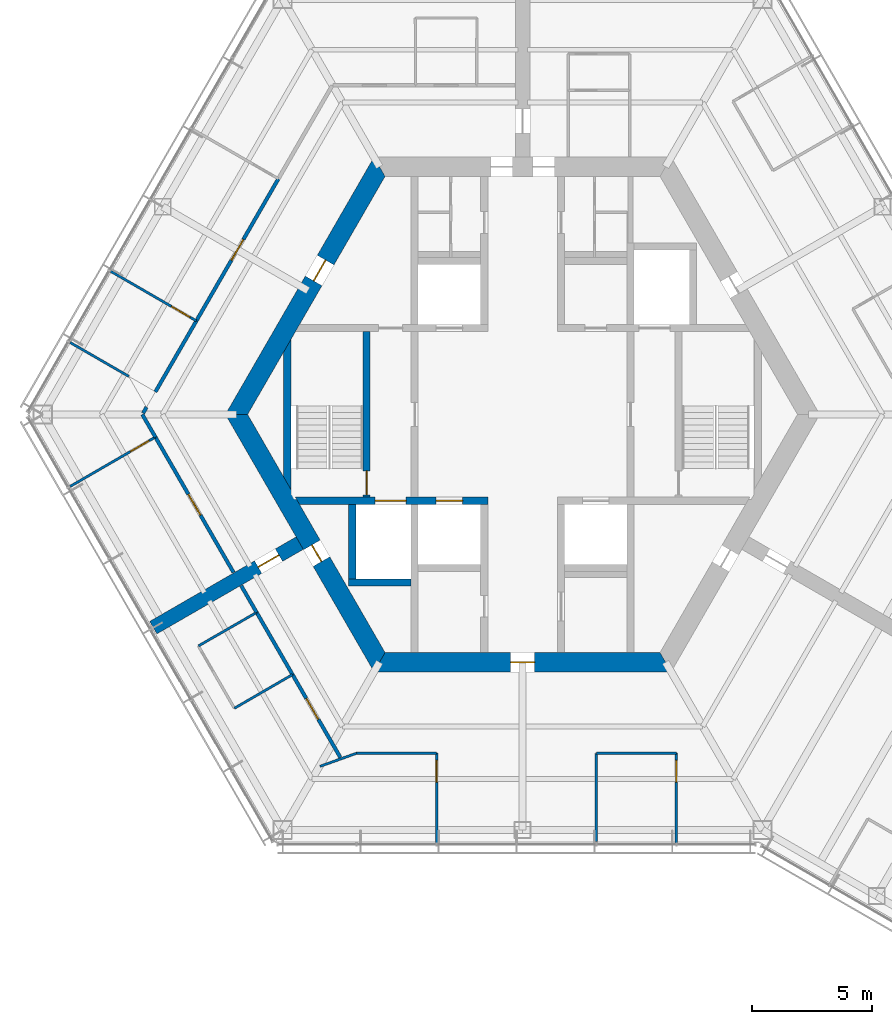
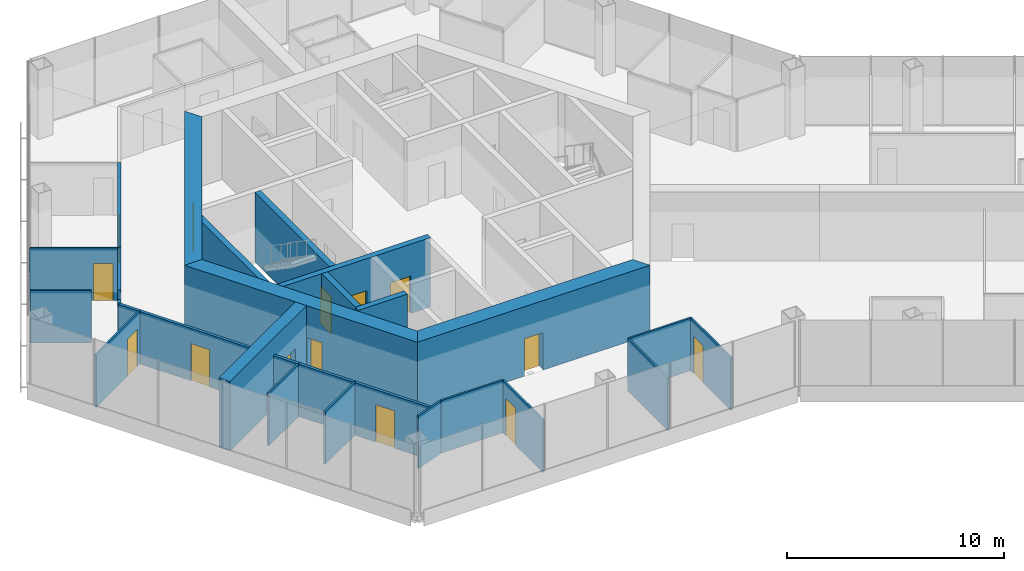
# One storey, part 10 of 16: 28 walls, 14 doors, 14 openings.
"""IFC4 building model written with IfcOpenShell, lengths in metres."""

from ifc_helpers import new_model, si_unit, direction, frame, frame_2d, origin, place, context, subcontext, project, spatial, polyline, rectangle, outline, extrude, material, layer, layer_set, type_object, element, fill, save


model = new_model("IFC4")

# Units and contexts
model_context = context("Model", 3, precision=1e-05, world=origin(), true_north=direction((0.0, 1.0)))
body_context = subcontext(model_context, "Body", "Model", "MODEL_VIEW")
ifc_project = project(units=[si_unit("LENGTHUNIT", "METRE"), si_unit("AREAUNIT", "SQUARE_METRE"), si_unit("VOLUMEUNIT", "CUBIC_METRE"), si_unit("PLANEANGLEUNIT", "RADIAN"), si_unit("MASSUNIT", "GRAM", prefix="KILO")], contexts=[model_context])

# Site, building, storey
site_placement = place(None, origin())
site = spatial("IfcSite", under=ifc_project, at=site_placement, CompositionType="ELEMENT")
building_placement = place(site_placement, origin())
building = spatial("IfcBuilding", under=site, at=building_placement, Name="Kasaneha Research Tower", CompositionType="ELEMENT")
storey_placement = place(building_placement, frame((0.0, 0.0, 247.89990234375)))
storey = spatial("IfcBuildingStorey", under=building, at=storey_placement, Name="L62", CompositionType="ELEMENT", Elevation=247.89990234375)

# Wall, openings, doors
ifc_material_1 = material(Name="Concrete Fc60", Category="concrete")
ifc_layer_1 = layer(ifc_material_1, 0.300048828125)
ifc_layer_set_1 = layer_set([ifc_layer_1], Name="Core internal wall 300 Fc60")
wall_type_1 = type_object("IfcWallType", Name="Core internal wall 300 Fc60", PredefinedType="SHEAR", material=ifc_layer_set_1)
wall_1_placement = place(storey_placement, frame((-9.3818359375, -3.60009765625, 0.0), z_axis=(0.0, 0.0, 1.0), x_axis=(1.0, 0.0, 0.0)))
wall_1 = element("IfcWall", 1, at=wall_1_placement, inside=storey, type_object=wall_type_1, Name="Core wall W2W L62", PredefinedType="SHEAR", context=body_context, shape_type="SweptSolid", body=[
    extrude(outline(polyline([(0.086669921875, -0.14990234375), (3.23193359375, -0.14990234375), (4.531982421875, -0.14990234375), (5.781982421875, -0.14990234375), (6.882080078125, -0.14990234375), (7.931884765625, -0.14990234375), (7.931884765625, 0.14990234375), (6.882080078125, 0.14990234375), (5.781982421875, 0.14990234375), (4.531982421875, 0.14990234375), (3.23193359375, 0.14990234375), (-0.086669921875, 0.14990234375), (0.086669921875, -0.14990234375)])), origin(), (0.0, 0.0, 1.0), 3.900146484375),
])
opening_1_placement = place(wall_1_placement, frame((5.781982421875, 0.0, 0.0)))
opening_1 = element("IfcOpeningElement", 2, at=opening_1_placement, cuts=wall_1, Name="Opening LD-LH1-L62", PredefinedType="OPENING", context=body_context, shape_type="SweptSolid", body=[
    extrude(rectangle(XDim=1.10009765625, YDim=2.10009765625, at=frame_2d((0.550048828125, 1.050048828125))), frame((0.0, 0.16015625, 0.0), z_axis=(0.0, -1.0, 0.0), x_axis=(1.0, 0.0, 0.0)), (0.0, 0.0, 1.0), 0.320068359375),
])
opening_2_placement = place(wall_1_placement, frame((3.23193359375, 0.0, 0.0)))
opening_2 = element("IfcOpeningElement", 3, at=opening_2_placement, cuts=wall_1, Name="Opening LD-FL2-L62", PredefinedType="OPENING", context=body_context, shape_type="SweptSolid", body=[
    extrude(rectangle(XDim=1.300048828125, YDim=2.10009765625, at=frame_2d((0.64990234375, 1.050048828125))), frame((0.0, 0.16015625, 0.0), z_axis=(0.0, -1.0, 0.0), x_axis=(1.0, 0.0, 0.0)), (0.0, 0.0, 1.0), 0.320068359375),
])
ifc_material_2 = material(Name="Steel", Category="steel")
door_type_1 = type_object("IfcDoorType", Name="Lift landing door 1100x2100", OperationType="DOUBLE_DOOR_SLIDING", PredefinedType="DOOR", material=ifc_material_2)
door_1_placement = place(opening_1_placement, origin())
door_1 = element("IfcDoor", 4, at=door_1_placement, inside=storey, type_object=door_type_1, Name="Landing door LH1 LD-LH1-L62", OperationType="DOUBLE_DOOR_SLIDING", OverallHeight=2.10009765625, OverallWidth=1.10009765625, PredefinedType="DOOR", context=body_context, shape_type="SweptSolid", body=[
    extrude(rectangle(XDim=1.10009765625, YDim=2.10009765625, at=frame_2d((0.550048828125, 1.050048828125))), frame((0.0, 0.02490234375, 0.0), z_axis=(0.0, -1.0, 0.0), x_axis=(1.0, 0.0, 0.0)), (0.0, 0.0, 1.0), 0.050048828125),
])
fill(opening_1, door_1)
ifc_material_3 = material(Name="Steel", Category="steel")
door_type_2 = type_object("IfcDoorType", Name="Lift landing door 1300x2100", OperationType="DOUBLE_DOOR_SLIDING", PredefinedType="DOOR", material=ifc_material_3)
door_2_placement = place(opening_2_placement, origin())
door_2 = element("IfcDoor", 5, at=door_2_placement, inside=storey, type_object=door_type_2, Name="Landing door FL2 LD-FL2-L62", OperationType="DOUBLE_DOOR_SLIDING", OverallHeight=2.10009765625, OverallWidth=1.300048828125, PredefinedType="DOOR", context=body_context, shape_type="SweptSolid", body=[
    extrude(rectangle(XDim=1.300048828125, YDim=2.10009765625, at=frame_2d((0.64990234375, 1.050048828125))), frame((0.0, 0.02490234375, 0.0), z_axis=(0.0, -1.0, 0.0), x_axis=(1.0, 0.0, 0.0)), (0.0, 0.0, 1.0), 0.050048828125),
])
fill(opening_2, door_2)

# Wall, opening, door
wall_2_placement = place(storey_placement, frame((-6.5, -3.449951171875, 0.0), z_axis=(0.0, 0.0, 1.0), x_axis=(0.0, 1.0, 0.0)))
wall_2 = element("IfcWall", 6, at=wall_2_placement, inside=storey, type_object=wall_type_1, Name="Core wall ANW L62", PredefinedType="SHEAR", context=body_context, shape_type="SweptSolid", body=[
    extrude(rectangle(XDim=6.89990234375, YDim=0.300048828125, at=frame_2d((3.449951171875, 0.0))), origin(), (0.0, 0.0, 1.0), 3.900146484375),
])
opening_3_placement = place(wall_2_placement, frame((0.10009765625, 0.0, 0.0)))
opening_3 = element("IfcOpeningElement", 7, at=opening_3_placement, cuts=wall_2, Name="Opening L62-D11", PredefinedType="OPENING", context=body_context, shape_type="SweptSolid", body=[
    extrude(rectangle(XDim=1.0, YDim=2.10009765625, at=frame_2d((0.5, 1.050048828125))), frame((0.0, 0.16015625, 0.0), z_axis=(0.0, -1.0, 0.0), x_axis=(1.0, 0.0, 0.0)), (0.0, 0.0, 1.0), 0.320068359375),
])
ifc_material_4 = material(Name="Steel", Category="steel")
door_type_3 = type_object("IfcDoorType", Name="Specified fire door FD60 1000x2100", OperationType="NOTDEFINED", PredefinedType="DOOR", material=ifc_material_4)
door_3_placement = place(opening_3_placement, origin())
door_3 = element("IfcDoor", 8, at=door_3_placement, inside=storey, type_object=door_type_3, Name="Stair 2 door L62-D11", OperationType="SINGLE_SWING_LEFT", OverallHeight=2.10009765625, OverallWidth=1.0, PredefinedType="DOOR", context=body_context, shape_type="SweptSolid", body=[
    extrude(rectangle(XDim=1.0, YDim=2.10009765625, at=frame_2d((0.5, 1.050048828125))), frame((0.0, 0.02490234375, 0.0), z_axis=(0.0, -1.0, 0.0), x_axis=(1.0, 0.0, 0.0)), (0.0, 0.0, 1.0), 0.050048828125),
])
fill(opening_3, door_3)

# Walls
wall_3_placement = place(storey_placement, frame((-7.25, -7.0, 0.0), z_axis=(0.0, 0.0, 1.0), x_axis=(1.0, 0.0, 0.0)))
element("IfcWall", 9, at=wall_3_placement, inside=storey, type_object=wall_type_1, Name="Core wall F2S L62", PredefinedType="SHEAR", context=body_context, shape_type="SweptSolid", body=[
    extrude(rectangle(XDim=2.60009765625, YDim=0.300048828125, at=frame_2d((1.300048828125, 0.0))), origin(), (0.0, 0.0, 1.0), 3.900146484375),
])
wall_4_placement = place(storey_placement, frame((-7.10009765625, -3.75, 0.0), z_axis=(0.0, 0.0, 1.0), x_axis=(0.0, -1.0, 0.0)))
element("IfcWall", 10, at=wall_4_placement, inside=storey, type_object=wall_type_1, Name="Core wall F2W L62", PredefinedType="SHEAR", context=body_context, shape_type="SweptSolid", body=[
    extrude(rectangle(XDim=3.10009765625, YDim=0.300048828125, at=frame_2d((1.550048828125, 0.0))), origin(), (0.0, 0.0, 1.0), 3.900146484375),
])
wall_5_placement = place(storey_placement, frame((-9.807861328125, -2.8623046875, 0.0), z_axis=(0.0, 0.0, 1.0), x_axis=(0.0, 1.0, 0.0)))
element("IfcWall", 11, at=wall_5_placement, inside=storey, type_object=wall_type_1, Name="Core wall STW L62", PredefinedType="SHEAR", context=body_context, shape_type="SweptSolid", body=[
    extrude(outline(polyline([(-0.259765625, -0.14990234375), (5.984375, -0.14990234375), (5.46484375, 0.14990234375), (0.259765625, 0.14990234375), (-0.259765625, -0.14990234375)])), origin(), (0.0, 0.0, 1.0), 3.900146484375),
])

# Wall, opening, door
ifc_material_5 = material(Name="Concrete Fc60", Category="concrete")
ifc_layer_2 = layer(ifc_material_5, 0.800048828125)
ifc_layer_set_2 = layer_set([ifc_layer_2], Name="Core wall 800 Fc60")
wall_type_2 = type_object("IfcWallType", Name="Core wall 800 Fc60", PredefinedType="SHEAR", material=ifc_layer_set_2)
wall_6_placement = place(storey_placement, frame((-5.961181640625, 10.324951171875, 0.0), z_axis=(0.0, 0.0, 1.0), x_axis=(-0.500004296715, -0.866022923061, 0.0)))
wall_6 = element("IfcWall", 12, at=wall_6_placement, inside=storey, type_object=wall_type_2, Name="Core wall 150 L62", PredefinedType="SHEAR", context=body_context, shape_type="SweptSolid", body=[
    extrude(outline(polyline([(-0.23095703125, -0.39990234375), (4.494140625, -0.39990234375), (5.494140625, -0.39990234375), (12.1533203125, -0.39990234375), (11.69140625, 0.39990234375), (5.494140625, 0.39990234375), (4.494140625, 0.39990234375), (0.23095703125, 0.39990234375), (-0.23095703125, -0.39990234375)])), origin(), (0.0, 0.0, 1.0), 3.900146484375),
])
opening_4_placement = place(wall_6_placement, frame((4.494140625, 0.0, 0.0)))
opening_4 = element("IfcOpeningElement", 13, at=opening_4_placement, cuts=wall_6, Name="Opening L62-D07", PredefinedType="OPENING", context=body_context, shape_type="SweptSolid", body=[
    extrude(rectangle(XDim=1.0, YDim=2.10009765625, at=frame_2d((0.5, 1.050048828125))), frame((0.0, 0.41015625, 0.0), z_axis=(0.0, -1.0, 0.0), x_axis=(1.0, 0.0, 0.0)), (0.0, 0.0, 1.0), 0.820068359375),
])
ifc_material_6 = material(Name="Steel", Category="steel")
door_type_4 = type_object("IfcDoorType", Name="Fire door FD20 1000x2100", OperationType="NOTDEFINED", PredefinedType="DOOR", material=ifc_material_6)
door_4_placement = place(opening_4_placement, origin())
door_4 = element("IfcDoor", 14, at=door_4_placement, inside=storey, type_object=door_type_4, Name="Vestibule door L62-D07", OperationType="SINGLE_SWING_LEFT", OverallHeight=2.10009765625, OverallWidth=1.0, PredefinedType="DOOR", context=body_context, shape_type="SweptSolid", body=[
    extrude(rectangle(XDim=1.0, YDim=2.10009765625, at=frame_2d((0.5, 1.050048828125))), frame((0.0, 0.02490234375, 0.0), z_axis=(0.0, -1.0, 0.0), x_axis=(1.0, 0.0, 0.0)), (0.0, 0.0, 1.0), 0.050048828125),
])
fill(opening_4, door_4)

wall_7_placement = place(storey_placement, frame((-11.92236328125, 0.0, 0.0), z_axis=(0.0, 0.0, 1.0), x_axis=(0.500004296715, -0.866022923061, 0.0)))
wall_7 = element("IfcWall", 15, at=wall_7_placement, inside=storey, type_object=wall_type_2, Name="Core wall 210 L62", PredefinedType="SHEAR", context=body_context, shape_type="SweptSolid", body=[
    extrude(outline(polyline([(-0.23095703125, -0.39990234375), (6.28125, -0.39990234375), (7.081298828125, -0.39990234375), (12.1533203125, -0.39990234375), (11.69140625, 0.39990234375), (7.081298828125, 0.39990234375), (6.28125, 0.39990234375), (0.23095703125, 0.39990234375), (-0.23095703125, -0.39990234375)])), origin(), (0.0, 0.0, 1.0), 3.900146484375),
])
opening_5_placement = place(wall_7_placement, frame((6.28125, 0.0, 0.0)))
opening_5 = element("IfcOpeningElement", 16, at=opening_5_placement, cuts=wall_7, Name="Opening L62-D06", PredefinedType="OPENING", context=body_context, shape_type="SweptSolid", body=[
    extrude(rectangle(XDim=0.800048828125, YDim=2.10009765625, at=frame_2d((0.39990234375, 1.050048828125))), frame((0.0, 0.41015625, 0.0), z_axis=(0.0, -1.0, 0.0), x_axis=(1.0, 0.0, 0.0)), (0.0, 0.0, 1.0), 0.820068359375),
])
ifc_material_7 = material(Name="Steel", Category="steel")
door_type_5 = type_object("IfcDoorType", Name="Riser access door FD60 800x2100", OperationType="NOTDEFINED", PredefinedType="DOOR", material=ifc_material_7)
door_5_placement = place(opening_5_placement, origin())
door_5 = element("IfcDoor", 17, at=door_5_placement, inside=storey, type_object=door_type_5, Name="Duct riser door L62-D06", OperationType="SINGLE_SWING_RIGHT", OverallHeight=2.10009765625, OverallWidth=0.800048828125, PredefinedType="DOOR", context=body_context, shape_type="SweptSolid", body=[
    extrude(rectangle(XDim=0.800048828125, YDim=2.10009765625, at=frame_2d((0.39990234375, 1.050048828125))), frame((0.0, 0.02490234375, 0.0), z_axis=(0.0, -1.0, 0.0), x_axis=(1.0, 0.0, 0.0)), (0.0, 0.0, 1.0), 0.050048828125),
])
fill(opening_5, door_5)

wall_8_placement = place(storey_placement, frame((-5.961181640625, -10.324951171875, 0.0), z_axis=(0.0, 0.0, 1.0), x_axis=(1.0, 0.0, 0.0)))
wall_8 = element("IfcWall", 18, at=wall_8_placement, inside=storey, type_object=wall_type_2, Name="Core wall 270 L62", PredefinedType="SHEAR", context=body_context, shape_type="SweptSolid", body=[
    extrude(outline(polyline([(-0.23095703125, -0.39990234375), (5.461181640625, -0.39990234375), (6.461181640625, -0.39990234375), (12.1533203125, -0.39990234375), (11.69140625, 0.39990234375), (6.461181640625, 0.39990234375), (5.461181640625, 0.39990234375), (0.23095703125, 0.39990234375), (-0.23095703125, -0.39990234375)])), origin(), (0.0, 0.0, 1.0), 3.900146484375),
])
opening_6_placement = place(wall_8_placement, frame((5.461181640625, 0.0, 0.0)))
opening_6 = element("IfcOpeningElement", 19, at=opening_6_placement, cuts=wall_8, Name="Opening L62-D03", PredefinedType="OPENING", context=body_context, shape_type="SweptSolid", body=[
    extrude(rectangle(XDim=1.0, YDim=2.10009765625, at=frame_2d((0.5, 1.050048828125))), frame((0.0, 0.41015625, 0.0), z_axis=(0.0, -1.0, 0.0), x_axis=(1.0, 0.0, 0.0)), (0.0, 0.0, 1.0), 0.820068359375),
])
door_6_placement = place(opening_6_placement, origin())
door_6 = element("IfcDoor", 20, at=door_6_placement, inside=storey, type_object=door_type_4, Name="Core door south L62-D03", OperationType="SINGLE_SWING_LEFT", OverallHeight=2.10009765625, OverallWidth=1.0, PredefinedType="DOOR", context=body_context, shape_type="SweptSolid", body=[
    extrude(rectangle(XDim=1.0, YDim=2.10009765625, at=frame_2d((0.5, 1.050048828125))), frame((0.0, 0.02490234375, 0.0), z_axis=(0.0, -1.0, 0.0), x_axis=(1.0, 0.0, 0.0)), (0.0, 0.0, 1.0), 0.050048828125),
])
fill(opening_6, door_6)

# Wall
ifc_material_8 = material(Name="Gypsum board on steel studs, one layer each side", Category="steel")
ifc_layer_3 = layer(ifc_material_8, 0.10009765625)
ifc_layer_set_3 = layer_set([ifc_layer_3], Name="Office partition 100")
wall_type_3 = type_object("IfcWallType", Name="Office partition 100", PredefinedType="PARTITIONING", material=ifc_layer_set_3)
wall_9_placement = place(storey_placement, frame((-16.4130859375, 1.58837890625, 0.0), z_axis=(0.0, 0.0, 1.0), x_axis=(-0.866019917734, 0.500009501998, 0.0)))
element("IfcWall", 21, at=wall_9_placement, inside=storey, type_object=wall_type_3, Name="Office partition FBN08 L62", PredefinedType="PARTITIONING", context=body_context, shape_type="SweptSolid", body=[
    extrude(rectangle(XDim=2.822265625, YDim=0.10009765625, at=frame_2d((1.4111328125, 0.0))), origin(), (0.0, 0.0, 1.0), 2.9501953125),
])

# Wall, opening, door
wall_10_placement = place(storey_placement, frame((-17.1708984375, 5.969970703125, 0.0), z_axis=(0.0, 0.0, 1.0), x_axis=(0.865450565099, -0.500994330677, 0.0)))
wall_10 = element("IfcWall", 22, at=wall_10_placement, inside=storey, type_object=wall_type_3, Name="Office partition FBN09 L62", PredefinedType="PARTITIONING", context=body_context, shape_type="SweptSolid", body=[
    extrude(rectangle(XDim=4.13037109375, YDim=0.10009765625, at=frame_2d((2.065185546875, 0.0))), origin(), (0.0, 0.0, 1.0), 2.9501953125),
])
opening_7_placement = place(wall_10_placement, frame((2.930419921875, 0.0, 0.0)))
opening_7 = element("IfcOpeningElement", 23, at=opening_7_placement, cuts=wall_10, Name="Opening L62-D35", PredefinedType="OPENING", context=body_context, shape_type="SweptSolid", body=[
    extrude(rectangle(XDim=0.89990234375, YDim=2.10009765625, at=frame_2d((0.449951171875, 1.050048828125))), frame((0.0, 0.06005859375, 0.0), z_axis=(0.0, -1.0, 0.0), x_axis=(1.0, 0.0, 0.0)), (0.0, 0.0, 1.0), 0.1201171875),
])
ifc_material_9 = material(Name="Timber veneer", Category="wood")
door_type_6 = type_object("IfcDoorType", Name="Office door 900x2100", OperationType="SINGLE_SWING_LEFT", PredefinedType="DOOR", material=ifc_material_9)
door_7_placement = place(opening_7_placement, origin())
door_7 = element("IfcDoor", 24, at=door_7_placement, inside=storey, type_object=door_type_6, Name="Executive office door L62-D35", OperationType="SINGLE_SWING_RIGHT", OverallHeight=2.10009765625, OverallWidth=0.89990234375, PredefinedType="DOOR", context=body_context, shape_type="SweptSolid", body=[
    extrude(rectangle(XDim=0.89990234375, YDim=2.10009765625, at=frame_2d((0.449951171875, 1.050048828125))), frame((0.0, 0.02490234375, 0.0), z_axis=(0.0, -1.0, 0.0), x_axis=(1.0, 0.0, 0.0)), (0.0, 0.0, 1.0), 0.050048828125),
])
fill(opening_7, door_7)

wall_11_placement = place(storey_placement, frame((-15.303955078125, -0.94287109375, 0.0), z_axis=(0.0, 0.0, 1.0), x_axis=(-0.865477851574, -0.500947191264, 0.0)))
wall_11 = element("IfcWall", 25, at=wall_11_placement, inside=storey, type_object=wall_type_3, Name="Office partition FBN10 L62", PredefinedType="PARTITIONING", context=body_context, shape_type="SweptSolid", body=[
    extrude(rectangle(XDim=4.10546875, YDim=0.10009765625, at=frame_2d((2.052734375, 0.0))), origin(), (0.0, 0.0, 1.0), 2.9501953125),
])
opening_8_placement = place(wall_11_placement, frame((0.300048828125, 0.0, 0.0)))
opening_8 = element("IfcOpeningElement", 26, at=opening_8_placement, cuts=wall_11, Name="Opening L62-D36", PredefinedType="OPENING", context=body_context, shape_type="SweptSolid", body=[
    extrude(rectangle(XDim=0.89990234375, YDim=2.10009765625, at=frame_2d((0.449951171875, 1.050048828125))), frame((0.0, 0.06005859375, 0.0), z_axis=(0.0, -1.0, 0.0), x_axis=(1.0, 0.0, 0.0)), (0.0, 0.0, 1.0), 0.1201171875),
])
door_8_placement = place(opening_8_placement, origin())
door_8 = element("IfcDoor", 27, at=door_8_placement, inside=storey, type_object=door_type_6, Name="Workroom door L62-D36", OperationType="SINGLE_SWING_LEFT", OverallHeight=2.10009765625, OverallWidth=0.89990234375, PredefinedType="DOOR", context=body_context, shape_type="SweptSolid", body=[
    extrude(rectangle(XDim=0.89990234375, YDim=2.10009765625, at=frame_2d((0.449951171875, 1.050048828125))), frame((0.0, 0.02490234375, 0.0), z_axis=(0.0, -1.0, 0.0), x_axis=(1.0, 0.0, 0.0)), (0.0, 0.0, 1.0), 0.050048828125),
])
fill(opening_8, door_8)

# Walls
for number, where, z_axis, x_axis, name in (
    (28, (-13.510986328125, -9.648193359375, 0.0), (0.0, 0.0, 1.0), (0.86679607088, 0.498662783358, 0.0), "Office partition FBS04 L62"),
    (29, (-9.58837890625, -10.84228515625, 0.0), (0.0, 0.0, 1.0), (-0.865233198925, -0.501369635576, 0.0), "Office partition FBS06 L62"),
):
    element("IfcWall", number, at=place(storey_placement, frame(where, z_axis=z_axis, x_axis=x_axis)), inside=storey, type_object=wall_type_3, Name=name, PredefinedType="PARTITIONING", context=body_context, shape_type="SweptSolid", body=[
        extrude(rectangle(XDim=2.800048828125, YDim=0.10009765625, at=frame_2d((1.39990234375, 0.0))), origin(), (0.0, 0.0, 1.0), 2.9501953125),
    ])
wall_12_placement = place(storey_placement, frame((-8.444580078125, -14.666748046875, 0.0), z_axis=(0.0, 0.0, 1.0), x_axis=(0.941476299389, 0.33707918608, 0.0)))
element("IfcWall", 30, at=wall_12_placement, inside=storey, type_object=wall_type_3, Name="Office partition FCS01 L62", PredefinedType="PARTITIONING", context=body_context, shape_type="SweptSolid", body=[
    extrude(rectangle(XDim=1.623779296875, YDim=0.10009765625, at=frame_2d((0.81201171875, 0.0))), origin(), (0.0, 0.0, 1.0), 2.9501953125),
])
wall_13_placement = place(storey_placement, frame((-6.915771484375, -14.119384765625, 0.0), z_axis=(0.0, 0.0, 1.0), x_axis=(0.999999932863, -0.000366434567, 0.0)))
element("IfcWall", 31, at=wall_13_placement, inside=storey, type_object=wall_type_3, Name="Office partition FCS02 L62", PredefinedType="PARTITIONING", context=body_context, shape_type="SweptSolid", body=[
    extrude(rectangle(XDim=3.331298828125, YDim=0.10009765625, at=frame_2d((1.66552734375, 0.0))), origin(), (0.0, 0.0, 1.0), 2.9501953125),
])

# Wall, opening, door
wall_14_placement = place(storey_placement, frame((-3.58447265625, -14.12060546875, 0.0), z_axis=(0.0, 0.0, 1.0), x_axis=(0.0, -1.0, 0.0)))
wall_14 = element("IfcWall", 32, at=wall_14_placement, inside=storey, type_object=wall_type_3, Name="Office partition FCS03 L62", PredefinedType="PARTITIONING", context=body_context, shape_type="SweptSolid", body=[
    extrude(rectangle(XDim=3.73486328125, YDim=0.10009765625, at=frame_2d((1.867431640625, 0.0))), origin(), (0.0, 0.0, 1.0), 2.9501953125),
])
opening_9_placement = place(wall_14_placement, frame((0.300048828125, 0.0, 0.0)))
opening_9 = element("IfcOpeningElement", 33, at=opening_9_placement, cuts=wall_14, Name="Opening L62-D41", PredefinedType="OPENING", context=body_context, shape_type="SweptSolid", body=[
    extrude(rectangle(XDim=0.89990234375, YDim=2.10009765625, at=frame_2d((0.449951171875, 1.050048828125))), frame((0.0, 0.06005859375, 0.0), z_axis=(0.0, -1.0, 0.0), x_axis=(1.0, 0.0, 0.0)), (0.0, 0.0, 1.0), 0.1201171875),
])
door_9_placement = place(opening_9_placement, origin())
door_9 = element("IfcDoor", 34, at=door_9_placement, inside=storey, type_object=door_type_6, Name="Executive office door L62-D41", OperationType="SINGLE_SWING_LEFT", OverallHeight=2.10009765625, OverallWidth=0.89990234375, PredefinedType="DOOR", context=body_context, shape_type="SweptSolid", body=[
    extrude(rectangle(XDim=0.89990234375, YDim=2.10009765625, at=frame_2d((0.449951171875, 1.050048828125))), frame((0.0, 0.02490234375, 0.0), z_axis=(0.0, -1.0, 0.0), x_axis=(1.0, 0.0, 0.0)), (0.0, 0.0, 1.0), 0.050048828125),
])
fill(opening_9, door_9)

# Walls
wall_15_placement = place(storey_placement, frame((3.077392578125, -17.800537109375, 0.0), z_axis=(0.0, 0.0, 1.0), x_axis=(0.0, 1.0, 0.0)))
element("IfcWall", 35, at=wall_15_placement, inside=storey, type_object=wall_type_3, Name="Office partition FCS04 L62", PredefinedType="PARTITIONING", context=body_context, shape_type="SweptSolid", body=[
    extrude(rectangle(XDim=3.679931640625, YDim=0.10009765625, at=frame_2d((1.83984375, 0.0))), origin(), (0.0, 0.0, 1.0), 2.9501953125),
])
wall_16_placement = place(storey_placement, frame((3.077392578125, -14.12060546875, 0.0), z_axis=(0.0, 0.0, 1.0), x_axis=(1.0, 0.0, 0.0)))
element("IfcWall", 36, at=wall_16_placement, inside=storey, type_object=wall_type_3, Name="Office partition FCS05 L62", PredefinedType="PARTITIONING", context=body_context, shape_type="SweptSolid", body=[
    extrude(rectangle(XDim=3.330810546875, YDim=0.10009765625, at=frame_2d((1.66552734375, 0.0))), origin(), (0.0, 0.0, 1.0), 2.9501953125),
])

# Wall, opening, door
wall_17_placement = place(storey_placement, frame((6.408203125, -14.12060546875, 0.0), z_axis=(0.0, 0.0, 1.0), x_axis=(0.0, -1.0, 0.0)))
wall_17 = element("IfcWall", 37, at=wall_17_placement, inside=storey, type_object=wall_type_3, Name="Office partition FCS06 L62", PredefinedType="PARTITIONING", context=body_context, shape_type="SweptSolid", body=[
    extrude(rectangle(XDim=3.73486328125, YDim=0.10009765625, at=frame_2d((1.867431640625, 0.0))), origin(), (0.0, 0.0, 1.0), 2.9501953125),
])
opening_10_placement = place(wall_17_placement, frame((0.300048828125, 0.0, 0.0)))
opening_10 = element("IfcOpeningElement", 38, at=opening_10_placement, cuts=wall_17, Name="Opening L62-D42", PredefinedType="OPENING", context=body_context, shape_type="SweptSolid", body=[
    extrude(rectangle(XDim=0.89990234375, YDim=2.10009765625, at=frame_2d((0.449951171875, 1.050048828125))), frame((0.0, 0.06005859375, 0.0), z_axis=(0.0, -1.0, 0.0), x_axis=(1.0, 0.0, 0.0)), (0.0, 0.0, 1.0), 0.1201171875),
])
door_10_placement = place(opening_10_placement, origin())
door_10 = element("IfcDoor", 39, at=door_10_placement, inside=storey, type_object=door_type_6, Name="Executive office door L62-D42", OperationType="SINGLE_SWING_LEFT", OverallHeight=2.10009765625, OverallWidth=0.89990234375, PredefinedType="DOOR", context=body_context, shape_type="SweptSolid", body=[
    extrude(rectangle(XDim=0.89990234375, YDim=2.10009765625, at=frame_2d((0.449951171875, 1.050048828125))), frame((0.0, 0.02490234375, 0.0), z_axis=(0.0, -1.0, 0.0), x_axis=(1.0, 0.0, 0.0)), (0.0, 0.0, 1.0), 0.050048828125),
])
fill(opening_10, door_10)

ifc_material_10 = material(Name="Concrete Fc60", Category="concrete")
ifc_layer_4 = layer(ifc_material_10, 0.60009765625)
ifc_layer_set_4 = layer_set([ifc_layer_4], Name="Spine wall 600 Fc60")
wall_type_4 = type_object("IfcWallType", Name="Spine wall 600 Fc60", PredefinedType="SHEAR", material=ifc_layer_set_4)
wall_18_placement = place(storey_placement, frame((-9.2880859375, -5.362548828125, 0.0), z_axis=(0.0, 0.0, 1.0), x_axis=(-0.866027473358, -0.499996415376, 0.0)))
wall_18 = element("IfcWall", 40, at=wall_18_placement, inside=storey, type_object=wall_type_4, Name="Spine wall B L62", PredefinedType="SHEAR", context=body_context, shape_type="SweptSolid", body=[
    extrude(rectangle(XDim=7.04541015625, YDim=0.60009765625, at=frame_2d((3.522705078125, 0.0))), origin(), (0.0, 0.0, 1.0), 3.900146484375),
])
opening_11_placement = place(wall_18_placement, frame((1.0, 0.0, 0.0)))
opening_11 = element("IfcOpeningElement", 41, at=opening_11_placement, cuts=wall_18, Name="Opening L62-D19", PredefinedType="OPENING", context=body_context, shape_type="SweptSolid", body=[
    extrude(rectangle(XDim=1.0, YDim=2.10009765625, at=frame_2d((0.5, 1.050048828125))), frame((0.0, 0.31005859375, 0.0), z_axis=(0.0, -1.0, 0.0), x_axis=(1.0, 0.0, 0.0)), (0.0, 0.0, 1.0), 0.6201171875),
])
door_11_placement = place(opening_11_placement, origin())
door_11 = element("IfcDoor", 42, at=door_11_placement, inside=storey, type_object=door_type_3, Name="Spine doorway B L62-D19", OperationType="SINGLE_SWING_LEFT", OverallHeight=2.10009765625, OverallWidth=1.0, PredefinedType="DOOR", context=body_context, shape_type="SweptSolid", body=[
    extrude(rectangle(XDim=1.0, YDim=2.10009765625, at=frame_2d((0.5, 1.050048828125))), frame((0.0, 0.02490234375, 0.0), z_axis=(0.0, -1.0, 0.0), x_axis=(1.0, 0.0, 0.0)), (0.0, 0.0, 1.0), 0.050048828125),
])
fill(opening_11, door_11)

# Walls
ifc_material_11 = material(Name="Gypsum board on steel studs, two layers each side", Category="steel")
ifc_layer_5 = layer(ifc_material_11, 0.14990234375)
ifc_layer_set_5 = layer_set([ifc_layer_5], Name="Suite partition 150")
wall_type_5 = type_object("IfcWallType", Name="Suite partition 150", PredefinedType="PARTITIONING", material=ifc_layer_set_5)
wall_19_placement = place(storey_placement, frame((-15.30419921875, 0.9423828125, 0.0), z_axis=(0.0, 0.0, 1.0), x_axis=(0.500032973541, 0.866006365664, 0.0)))
element("IfcWall", 43, at=wall_19_placement, inside=storey, type_object=wall_type_5, Name="Suite partition FBN02 L62", PredefinedType="PARTITIONING", context=body_context, shape_type="SweptSolid", body=[
    extrude(rectangle(XDim=3.425537109375, YDim=0.14990234375, at=frame_2d((1.712890625, 0.0))), origin(), (0.0, 0.0, 1.0), 2.9501953125),
])
wall_20_placement = place(storey_placement, frame((-15.81591796875, 0.056396484375, 0.0), z_axis=(0.0, 0.0, 1.0), x_axis=(0.500801637523, 0.865562083189, 0.0)))
element("IfcWall", 44, at=wall_20_placement, inside=storey, type_object=wall_type_5, Name="Suite partition FBN03 L62", PredefinedType="PARTITIONING", context=body_context, shape_type="SweptSolid", body=[
    extrude(rectangle(XDim=0.287109375, YDim=0.14990234375, at=frame_2d((0.1435546875, 0.0))), origin(), (0.0, 0.0, 1.0), 2.9501953125),
])
wall_21_placement = place(storey_placement, frame((-15.29931640625, -0.951171875, 0.0), z_axis=(0.0, 0.0, 1.0), x_axis=(-0.499940538003, 0.866059731463, 0.0)))
element("IfcWall", 45, at=wall_21_placement, inside=storey, type_object=wall_type_5, Name="Suite partition FBN04 L62", PredefinedType="PARTITIONING", context=body_context, shape_type="SweptSolid", body=[
    extrude(rectangle(XDim=1.098388671875, YDim=0.14990234375, at=frame_2d((0.54931640625, 0.0))), origin(), (0.0, 0.0, 1.0), 2.9501953125),
])

# Wall, opening, door
wall_22_placement = place(storey_placement, frame((-13.59619140625, 3.900634765625, 0.0), z_axis=(0.0, 0.0, 1.0), x_axis=(0.499993318678, 0.866029261213, 0.0)))
wall_22 = element("IfcWall", 46, at=wall_22_placement, inside=storey, type_object=wall_type_5, Name="Suite partition FBN05 L62", PredefinedType="PARTITIONING", context=body_context, shape_type="SweptSolid", body=[
    extrude(rectangle(XDim=6.83984375, YDim=0.14990234375, at=frame_2d((3.419921875, 0.0))), origin(), (0.0, 0.0, 1.0), 2.9501953125),
])
opening_12_placement = place(wall_22_placement, frame((2.919921875, 0.0, 0.0)))
opening_12 = element("IfcOpeningElement", 47, at=opening_12_placement, cuts=wall_22, Name="Opening L62-D32", PredefinedType="OPENING", context=body_context, shape_type="SweptSolid", body=[
    extrude(rectangle(XDim=1.0, YDim=2.10009765625, at=frame_2d((0.5, 1.050048828125))), frame((0.0, 0.0849609375, 0.0), z_axis=(0.0, -1.0, 0.0), x_axis=(1.0, 0.0, 0.0)), (0.0, 0.0, 1.0), 0.169921875),
])
ifc_material_12 = material(Name="Steel", Category="steel")
door_type_7 = type_object("IfcDoorType", Name="Suite entrance door FD60 1000x2100", OperationType="NOTDEFINED", PredefinedType="DOOR", material=ifc_material_12)
door_12_placement = place(opening_12_placement, origin())
door_12 = element("IfcDoor", 48, at=door_12_placement, inside=storey, type_object=door_type_7, Name="Suite entrance door L62-D32", OperationType="SINGLE_SWING_RIGHT", OverallHeight=2.10009765625, OverallWidth=1.0, PredefinedType="DOOR", context=body_context, shape_type="SweptSolid", body=[
    extrude(rectangle(XDim=1.0, YDim=2.10009765625, at=frame_2d((0.5, 1.050048828125))), frame((0.0, 0.02490234375, 0.0), z_axis=(0.0, -1.0, 0.0), x_axis=(1.0, 0.0, 0.0)), (0.0, 0.0, 1.0), 0.050048828125),
])
fill(opening_12, door_12)

wall_23_placement = place(storey_placement, frame((-12.046142578125, -6.58544921875, 0.0), z_axis=(0.0, 0.0, 1.0), x_axis=(-0.500007885066, 0.866020851292, 0.0)))
wall_23 = element("IfcWall", 49, at=wall_23_placement, inside=storey, type_object=wall_type_5, Name="Suite partition FBN06 L62", PredefinedType="PARTITIONING", context=body_context, shape_type="SweptSolid", body=[
    extrude(rectangle(XDim=6.515625, YDim=0.14990234375, at=frame_2d((3.2578125, 0.0))), origin(), (0.0, 0.0, 1.0), 2.9501953125),
])
opening_13_placement = place(wall_23_placement, frame((2.7578125, 0.0, 0.0)))
opening_13 = element("IfcOpeningElement", 50, at=opening_13_placement, cuts=wall_23, Name="Opening L62-D33", PredefinedType="OPENING", context=body_context, shape_type="SweptSolid", body=[
    extrude(rectangle(XDim=1.0, YDim=2.10009765625, at=frame_2d((0.5, 1.050048828125))), frame((0.0, 0.0849609375, 0.0), z_axis=(0.0, -1.0, 0.0), x_axis=(1.0, 0.0, 0.0)), (0.0, 0.0, 1.0), 0.169921875),
])
door_13_placement = place(opening_13_placement, origin())
door_13 = element("IfcDoor", 51, at=door_13_placement, inside=storey, type_object=door_type_7, Name="Suite entrance door L62-D33", OperationType="SINGLE_SWING_RIGHT", OverallHeight=2.10009765625, OverallWidth=1.0, PredefinedType="DOOR", context=body_context, shape_type="SweptSolid", body=[
    extrude(rectangle(XDim=1.0, YDim=2.10009765625, at=frame_2d((0.5, 1.050048828125))), frame((0.0, 0.02490234375, 0.0), z_axis=(0.0, -1.0, 0.0), x_axis=(1.0, 0.0, 0.0)), (0.0, 0.0, 1.0), 0.050048828125),
])
fill(opening_13, door_13)

# Walls
wall_24_placement = place(storey_placement, frame((-9.583740234375, -10.8505859375, 0.0), z_axis=(0.0, 0.0, 1.0), x_axis=(-0.499977562641, 0.866038357612, 0.0)))
element("IfcWall", 52, at=wall_24_placement, inside=storey, type_object=wall_type_5, Name="Suite partition FBS01 L62", PredefinedType="PARTITIONING", context=body_context, shape_type="SweptSolid", body=[
    extrude(rectangle(XDim=3.010009765625, YDim=0.14990234375, at=frame_2d((1.5048828125, 0.0))), origin(), (0.0, 0.0, 1.0), 2.9501953125),
])
wall_25_placement = place(storey_placement, frame((-11.083984375, -8.251953125, 0.0), z_axis=(0.0, 0.0, 1.0), x_axis=(-0.500084415177, 0.865976661173, 0.0)))
element("IfcWall", 53, at=wall_25_placement, inside=storey, type_object=wall_type_5, Name="Suite partition FBS02 L62", PredefinedType="PARTITIONING", context=body_context, shape_type="SweptSolid", body=[
    extrude(rectangle(XDim=1.284423828125, YDim=0.14990234375, at=frame_2d((0.64208984375, 0.0))), origin(), (0.0, 0.0, 1.0), 2.9501953125),
])

# Wall, opening, door
wall_26_placement = place(storey_placement, frame((-7.59326171875, -14.29833984375, 0.0), z_axis=(0.0, 0.0, 1.0), x_axis=(-0.499955472713, 0.866051110099, 0.0)))
wall_26 = element("IfcWall", 54, at=wall_26_placement, inside=storey, type_object=wall_type_5, Name="Suite partition FBS03 L62", PredefinedType="PARTITIONING", context=body_context, shape_type="SweptSolid", body=[
    extrude(rectangle(XDim=3.990478515625, YDim=0.14990234375, at=frame_2d((1.9951171875, 0.0))), origin(), (0.0, 0.0, 1.0), 2.9501953125),
])
opening_14_placement = place(wall_26_placement, frame((1.837890625, 0.0, 0.0)))
opening_14 = element("IfcOpeningElement", 55, at=opening_14_placement, cuts=wall_26, Name="Opening L62-D37", PredefinedType="OPENING", context=body_context, shape_type="SweptSolid", body=[
    extrude(rectangle(XDim=1.0, YDim=2.10009765625, at=frame_2d((0.5, 1.050048828125))), frame((0.0, 0.0849609375, 0.0), z_axis=(0.0, -1.0, 0.0), x_axis=(1.0, 0.0, 0.0)), (0.0, 0.0, 1.0), 0.169921875),
])
door_14_placement = place(opening_14_placement, origin())
door_14 = element("IfcDoor", 56, at=door_14_placement, inside=storey, type_object=door_type_7, Name="Suite entrance door L62-D37", OperationType="SINGLE_SWING_RIGHT", OverallHeight=2.10009765625, OverallWidth=1.0, PredefinedType="DOOR", context=body_context, shape_type="SweptSolid", body=[
    extrude(rectangle(XDim=1.0, YDim=2.10009765625, at=frame_2d((0.5, 1.050048828125))), frame((0.0, 0.02490234375, 0.0), z_axis=(0.0, -1.0, 0.0), x_axis=(1.0, 0.0, 0.0)), (0.0, 0.0, 1.0), 0.050048828125),
])
fill(opening_14, door_14)

save(model, "model.ifc")
